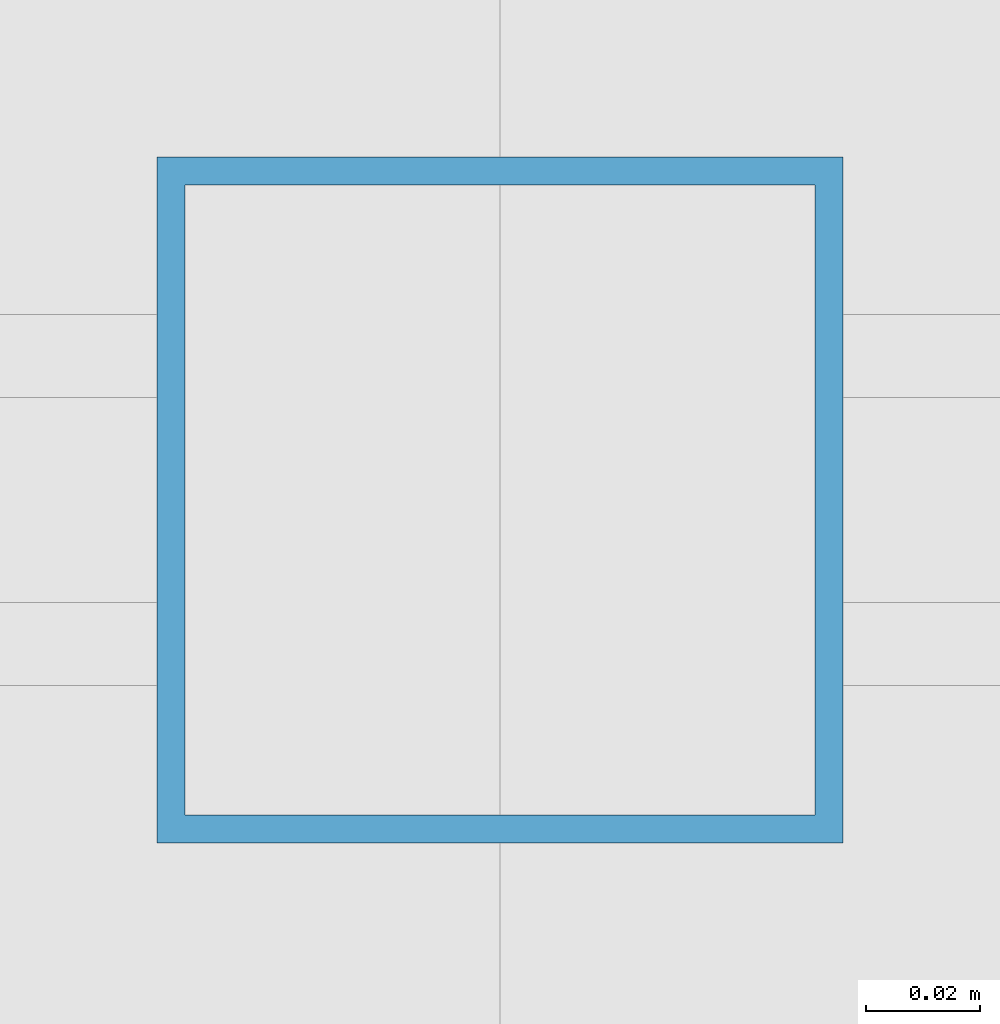
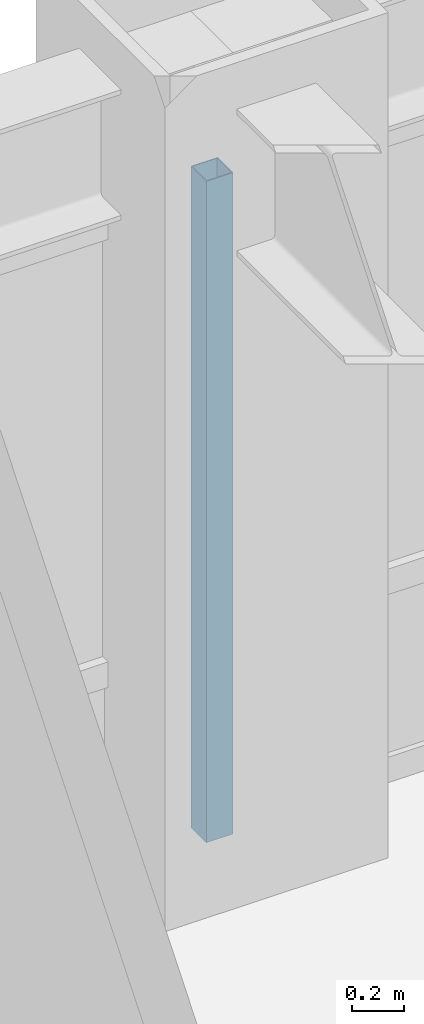
# One storey, part 16 of 25: 1 member, 1 element without a shape of its own.
"""IFC4 building model written with IfcOpenShell, lengths in metres."""

from ifc_helpers import new_model, si_unit, direction, frame, origin, origin_2d, place, context, subcontext, project, spatial, hollow_rectangle, extrude, source, transform, mapped, material, material_profile, profile_set, type_object, element, aggregate, save


model = new_model("IFC4")

# Units and contexts
model_context = context("Model", 3, precision=1e-05, world=origin(), true_north=direction((0.0, 1.0)))
body_context = subcontext(model_context, "Body", "Model", "MODEL_VIEW")
ifc_project = project(units=[si_unit("LENGTHUNIT", "METRE"), si_unit("AREAUNIT", "SQUARE_METRE"), si_unit("VOLUMEUNIT", "CUBIC_METRE"), si_unit("PLANEANGLEUNIT", "RADIAN"), si_unit("MASSUNIT", "GRAM", prefix="KILO")], contexts=[model_context])

# Site, building, storey
site_placement = place(None, origin())
site = spatial("IfcSite", under=ifc_project, at=site_placement, CompositionType="ELEMENT")
building_placement = place(site_placement, origin())
building = spatial("IfcBuilding", under=site, at=building_placement, Name="Khorayat Bourse Tower", CompositionType="ELEMENT")
storey_placement = place(building_placement, frame((0.0, 0.0, 255.10009765625)))
storey = spatial("IfcBuildingStorey", under=building, at=storey_placement, Name="L60", CompositionType="ELEMENT", Elevation=255.10009765625)

# Curtain wall, member
ifc_material = material(Name="Aluminium EN AW-6063 T6", Category="aluminium")
curtain_wall_type = type_object("IfcCurtainWallType", Name="CW-SYS-03", PredefinedType="NOTDEFINED", material=ifc_material)
curtain_wall_placement = place(storey_placement, origin())
curtain_wall = element("IfcCurtainWall", 1, at=curtain_wall_placement, inside=storey, type_object=curtain_wall_type, Name="L60 Curtain Wall CW-L60-N1", PredefinedType="NOTDEFINED")
ifc_material_profile = material_profile(ifc_material, hollow_rectangle(XDim=0.1201171875, YDim=0.1201171875, WallThickness=0.0048828125, at=origin_2d()), Name="ALU 120x120x5")
ifc_profile_set = profile_set([ifc_material_profile], Name="Aluminium EN AW-6063 T6")
member_type = type_object("IfcMemberType", Name="CWM-VERT-120", PredefinedType="MULLION", material=ifc_profile_set)
shared_shape = source(origin(), body_context, "Body", "SweptSolid", [
    extrude(hollow_rectangle(XDim=0.1201171875, YDim=0.1201171875, WallThickness=0.0048828125, at=origin_2d()), origin(), (0.0, 0.0, 1.0), 3.1298828125),
])
member_placement = place(storey_placement, frame((0.0, 30.0, 0.0), z_axis=(0.0, 0.0, 1.0), x_axis=(0.0, 1.0, 0.0)))
member = element("IfcMember", 2, at=member_placement, type_object=member_type, Name="CW-L60-N1 Vertical Mullion 2", PredefinedType="MULLION", context=body_context, shape_type="MappedRepresentation", body=[
    mapped(shared_shape, transform((0.0, 0.0, 0.0), scale=1.0)),
])
aggregate(curtain_wall, [member])

save(model, "model.ifc")
